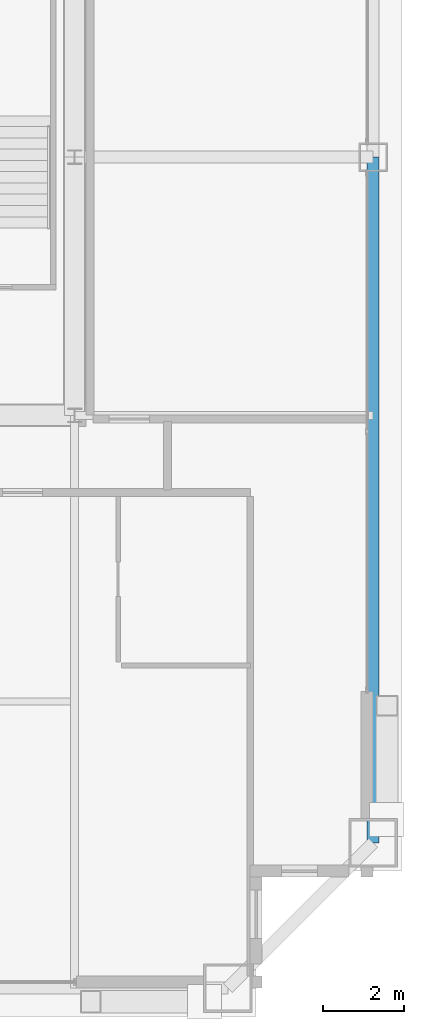
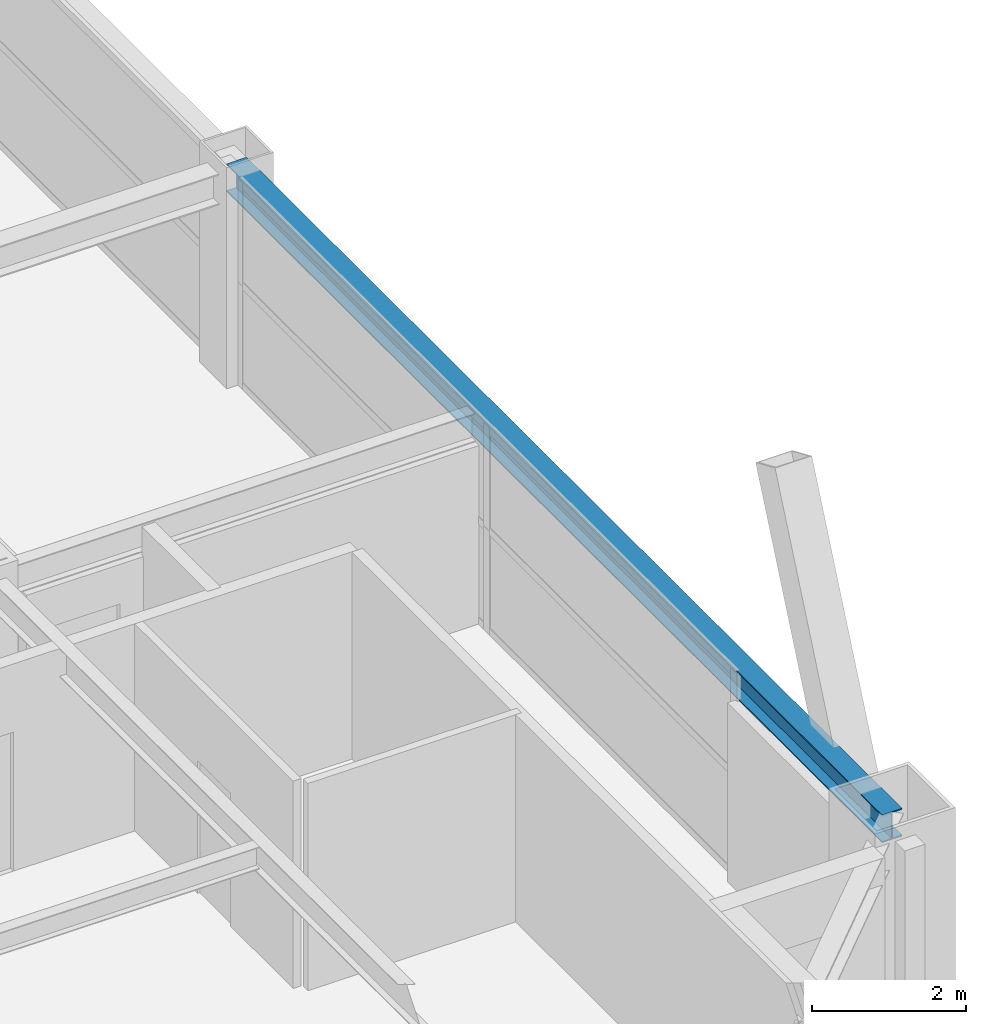
# One storey, part 17 of 35: 1 beam.
"""IFC4 building model written with IfcOpenShell, lengths in metres."""

from ifc_helpers import new_model, si_unit, direction, frame, origin, origin_2d, place, context, subcontext, project, spatial, i_section, extrude, source, transform, mapped, material, material_profile, profile_set, type_object, element, save


model = new_model("IFC4")

# Units and contexts
model_context = context("Model", 3, precision=1e-05, world=origin(), true_north=direction((0.0, 1.0)))
body_context = subcontext(model_context, "Body", "Model", "MODEL_VIEW")
ifc_project = project(units=[si_unit("LENGTHUNIT", "METRE"), si_unit("AREAUNIT", "SQUARE_METRE"), si_unit("VOLUMEUNIT", "CUBIC_METRE"), si_unit("PLANEANGLEUNIT", "RADIAN"), si_unit("MASSUNIT", "GRAM", prefix="KILO"), si_unit("THERMODYNAMICTEMPERATUREUNIT", "KELVIN"), si_unit("POWERUNIT", "WATT")], contexts=[model_context])

# Site, building, storey
site_placement = place(None, origin())
site = spatial("IfcSite", under=ifc_project, at=site_placement, CompositionType="ELEMENT")
building_placement = place(site_placement, origin())
building = spatial("IfcBuilding", under=site, at=building_placement, Name="Yuzanri Waterfront Tower", CompositionType="ELEMENT")
storey_placement = place(building_placement, frame((0.0, 0.0, 271.60009765625)))
storey = spatial("IfcBuildingStorey", under=building, at=storey_placement, Name="L72", CompositionType="ELEMENT", Elevation=271.60009765625)

# Beam
ifc_material = material(Name="Steel Q355B", Category="steel")
ifc_material_profile = material_profile(ifc_material, i_section(OverallWidth=0.300048828125, OverallDepth=0.43994140625, WebThickness=0.010986328125, FlangeThickness=0.01806640625, at=origin_2d()), Name="HM 440x300x11x18")
ifc_profile_set = profile_set([ifc_material_profile], Name="Steel Q355B")
beam_type = type_object("IfcBeamType", Name="Perimeter Spandrel Q355B HM 440x300", PredefinedType="SPANDREL", material=ifc_profile_set)
shared_shape = source(origin(), body_context, "Body", "SweptSolid", [
    extrude(i_section(OverallWidth=0.300048828125, OverallDepth=0.43994140625, WebThickness=0.010986328125, FlangeThickness=0.01806640625, at=origin_2d()), origin(), (0.0, 0.0, 1.0), 17.0),
])
beam_placement = place(storey_placement, frame((57.60009765625, 8.800048828125, 3.059814453125), z_axis=(0.0, 1.0, 0.0), x_axis=(-1.0, 0.0, 0.0)))
element("IfcBeam", 1, at=beam_placement, inside=storey, type_object=beam_type, Name="L72 Perimeter Spandrel E1-E2", PredefinedType="SPANDREL", context=body_context, shape_type="MappedRepresentation", body=[
    mapped(shared_shape, transform((0.0, 0.0, 0.0), scale=1.0)),
])

save(model, "model.ifc")
